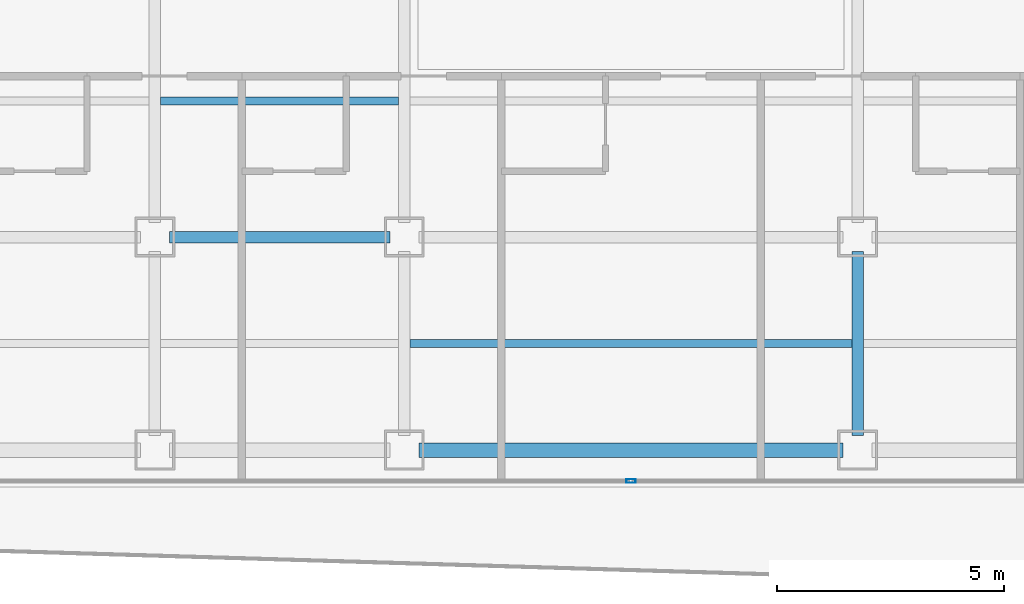
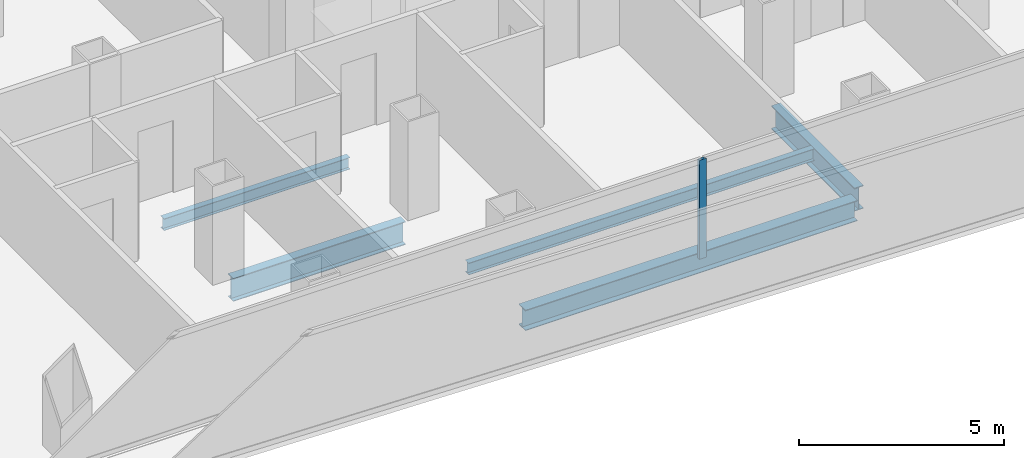
# One storey, part 4 of 21: 5 beams, 1 member, 1 element without a shape of its own.
"""IFC4 building model written with IfcOpenShell, lengths in metres."""

from ifc_helpers import new_model, si_unit, direction, frame, origin, origin_2d, place, context, subcontext, project, spatial, hollow_rectangle, i_section, extrude, source, transform, mapped, material, layer, layer_set, material_profile, profile_set, type_object, element, aggregate, save


model = new_model("IFC4")

# Units and contexts
model_context = context("Model", 3, precision=1e-05, world=origin(), true_north=direction((0.0, 1.0)))
body_context = subcontext(model_context, "Body", "Model", "MODEL_VIEW")
ifc_project = project(units=[si_unit("LENGTHUNIT", "METRE"), si_unit("AREAUNIT", "SQUARE_METRE"), si_unit("VOLUMEUNIT", "CUBIC_METRE"), si_unit("PLANEANGLEUNIT", "RADIAN"), si_unit("MASSUNIT", "GRAM", prefix="KILO")], contexts=[model_context])

# Site, building, storey
site_placement = place(None, origin())
site = spatial("IfcSite", under=ifc_project, at=site_placement, CompositionType="ELEMENT")
building_placement = place(site_placement, origin())
building = spatial("IfcBuilding", under=site, at=building_placement, Name="Kolveth Station Tower", CompositionType="ELEMENT")
storey_placement = place(building_placement, frame((0.0, 0.0, 99.10009765625)))
storey = spatial("IfcBuildingStorey", under=building, at=storey_placement, Name="L26", CompositionType="ELEMENT", Elevation=99.10009765625)

# Beams
ifc_material_1 = material(Name="Steel S355", Category="steel")
ifc_material_profile_1 = material_profile(ifc_material_1, i_section(OverallWidth=0.323974609375, OverallDepth=0.611083984375, WebThickness=0.0126953125, FlangeThickness=0.01904296875, at=origin_2d()), Name="W610x155")
ifc_profile_set_1 = profile_set([ifc_material_profile_1], Name="Steel S355")
beam_type_1 = type_object("IfcBeamType", Name="Beam_SP2", PredefinedType="SPANDREL", material=ifc_profile_set_1)
shared_shape_1 = source(origin(), body_context, "Body", "SweptSolid", [
    extrude(i_section(OverallWidth=0.323974609375, OverallDepth=0.611083984375, WebThickness=0.0126953125, FlangeThickness=0.01904296875, at=origin_2d()), origin(), (0.0, 0.0, 1.0), 9.35986328125),
])
beam_1_placement = place(storey_placement, frame((18.820068359375, 0.800048828125, -0.5556640625), z_axis=(1.0, 0.0, 0.0), x_axis=(0.0, 1.0, 0.0)))
element("IfcBeam", 1, at=beam_1_placement, inside=storey, type_object=beam_type_1, Name="L26 Perimeter Spandrel BM-L26-PS-3", PredefinedType="SPANDREL", context=body_context, shape_type="MappedRepresentation", body=[
    mapped(shared_shape_1, transform((0.0, 0.0, 0.0), x_axis=(1.0, 0.0, 0.0), y_axis=(0.0, 1.0, 0.0), z_axis=(0.0, 0.0, 1.0), scale=1.0)),
])
ifc_material_profile_2 = material_profile(ifc_material_1, i_section(OverallWidth=0.25390625, OverallDepth=0.68798828125, WebThickness=0.01318359375, FlangeThickness=0.02099609375, at=origin_2d()), Name="W690x152")
ifc_profile_set_2 = profile_set([ifc_material_profile_2], Name="Steel S355")
beam_type_2 = type_object("IfcBeamType", Name="Beam_B4", PredefinedType="BEAM", material=ifc_profile_set_2)
shared_shape_2 = source(origin(), body_context, "Body", "SweptSolid", [
    extrude(i_section(OverallWidth=0.25390625, OverallDepth=0.68798828125, WebThickness=0.01318359375, FlangeThickness=0.02099609375, at=origin_2d()), origin(), (0.0, 0.0, 1.0), 4.85986328125),
])
beam_2_placement = place(storey_placement, frame((13.320068359375, 5.5, -0.593994140625), z_axis=(1.0, 0.0, 0.0), x_axis=(0.0, 1.0, 0.0)))
element("IfcBeam", 2, at=beam_2_placement, inside=storey, type_object=beam_type_2, Name="L26 Primary Girder BM-L26-GY55-3", PredefinedType="BEAM", context=body_context, shape_type="MappedRepresentation", body=[
    mapped(shared_shape_2, transform((0.0, 0.0, 0.0), x_axis=(1.0, 0.0, 0.0), y_axis=(0.0, 1.0, 0.0), z_axis=(0.0, 0.0, 1.0), scale=1.0)),
])
shared_shape_3 = source(origin(), body_context, "Body", "SweptSolid", [
    extrude(i_section(OverallWidth=0.25390625, OverallDepth=0.68798828125, WebThickness=0.01318359375, FlangeThickness=0.02099609375, at=origin_2d()), origin(), (0.0, 0.0, 1.0), 4.059814453125),
])
beam_3_placement = place(storey_placement, frame((28.5, 1.1201171875, -0.593994140625), z_axis=(0.0, 1.0, 0.0), x_axis=(-1.0, 0.0, 0.0)))
element("IfcBeam", 3, at=beam_3_placement, inside=storey, type_object=beam_type_2, Name="L26 Primary Girder BM-L26-GX285-1", PredefinedType="BEAM", context=body_context, shape_type="MappedRepresentation", body=[
    mapped(shared_shape_3, transform((0.0, 0.0, 0.0), x_axis=(1.0, 0.0, 0.0), y_axis=(0.0, 1.0, 0.0), z_axis=(0.0, 0.0, 1.0), scale=1.0)),
])
ifc_material_profile_3 = material_profile(ifc_material_1, i_section(OverallWidth=0.1708984375, OverallDepth=0.35205078125, WebThickness=0.0068359375, FlangeThickness=0.009765625, at=origin_2d()), Name="W360x44")
ifc_profile_set_3 = profile_set([ifc_material_profile_3], Name="Steel S355")
beam_type_3 = type_object("IfcBeamType", Name="Beam_J2", PredefinedType="JOIST", material=ifc_profile_set_3)
shared_shape_4 = source(origin(), body_context, "Body", "SweptSolid", [
    extrude(i_section(OverallWidth=0.1708984375, OverallDepth=0.35205078125, WebThickness=0.0068359375, FlangeThickness=0.009765625, at=origin_2d()), origin(), (0.0, 0.0, 1.0), 5.25),
])
beam_4_placement = place(storey_placement, frame((13.125, 8.5, -0.426025390625), z_axis=(1.0, 0.0, 0.0), x_axis=(0.0, 1.0, 0.0)))
element("IfcBeam", 4, at=beam_4_placement, inside=storey, type_object=beam_type_3, Name="L26 Secondary Joist JST-L26-3-2", PredefinedType="JOIST", context=body_context, shape_type="MappedRepresentation", body=[
    mapped(shared_shape_4, transform((0.0, 0.0, 0.0), x_axis=(1.0, 0.0, 0.0), y_axis=(0.0, 1.0, 0.0), z_axis=(0.0, 0.0, 1.0), scale=1.0)),
])
shared_shape_5 = source(origin(), body_context, "Body", "SweptSolid", [
    extrude(i_section(OverallWidth=0.1708984375, OverallDepth=0.35205078125, WebThickness=0.0068359375, FlangeThickness=0.009765625, at=origin_2d()), origin(), (0.0, 0.0, 1.0), 9.75),
])
beam_5_placement = place(storey_placement, frame((18.625, 3.14990234375, -0.426025390625), z_axis=(1.0, 0.0, 0.0), x_axis=(0.0, 1.0, 0.0)))
element("IfcBeam", 5, at=beam_5_placement, inside=storey, type_object=beam_type_3, Name="L26 Secondary Joist JST-L26-4-1", PredefinedType="JOIST", context=body_context, shape_type="MappedRepresentation", body=[
    mapped(shared_shape_5, transform((0.0, 0.0, 0.0), x_axis=(1.0, 0.0, 0.0), y_axis=(0.0, 1.0, 0.0), z_axis=(0.0, 0.0, 1.0), scale=1.0)),
])

# Curtain wall, member
ifc_material_2 = material(Name="Aluminium 6063-T6 and low-E dark glass", Category="aluminium")
ifc_layer = layer(ifc_material_2, 0.18994140625)
ifc_layer_set = layer_set([ifc_layer], Name="Aluminium 6063-T6 and low-E dark glass")
curtain_wall_type = type_object("IfcCurtainWallType", Name="CurtainWall_CW-Z2", PredefinedType="NOTDEFINED", material=ifc_layer_set)
curtain_wall_placement = place(storey_placement, origin())
curtain_wall = element("IfcCurtainWall", 6, at=curtain_wall_placement, inside=storey, type_object=curtain_wall_type, Name="L26 Inner Thermal Curtain Wall 12", PredefinedType="NOTDEFINED")
ifc_material_3 = material(Name="Black anodized aluminium 6063-T6", Category="aluminium")
ifc_material_profile_4 = material_profile(ifc_material_3, hollow_rectangle(XDim=0.080078125, YDim=0.199951171875, WallThickness=0.0048828125, at=origin_2d()), Name="ALU-80x200x5")
ifc_profile_set_4 = profile_set([ifc_material_profile_4], Name="Black anodized aluminium 6063-T6")
member_type = type_object("IfcMemberType", Name="Mullion_ML2", PredefinedType="MULLION", material=ifc_profile_set_4)
shared_shape_6 = source(origin(), body_context, "Body", "SweptSolid", [
    extrude(hollow_rectangle(XDim=0.080078125, YDim=0.199951171875, WallThickness=0.0048828125, at=origin_2d()), origin(), (0.0, 0.0, 1.0), 2.949951171875),
])
member_placement = place(storey_placement, frame((23.5, 0.1201171875, 0.0), z_axis=(0.0, 0.0, 1.0), x_axis=(0.0, 1.0, 0.0)))
member = element("IfcMember", 7, at=member_placement, type_object=member_type, Name="CW-Z2 mullion 2", PredefinedType="MULLION", context=body_context, shape_type="MappedRepresentation", body=[
    mapped(shared_shape_6, transform((0.0, 0.0, 0.0), x_axis=(1.0, 0.0, 0.0), y_axis=(0.0, 1.0, 0.0), z_axis=(0.0, 0.0, 1.0), scale=1.0)),
])
aggregate(curtain_wall, [member])

save(model, "model.ifc")
